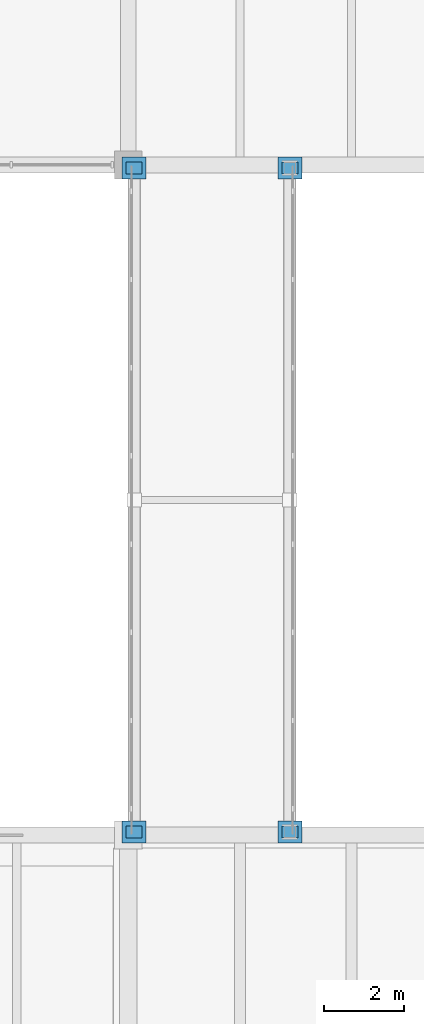
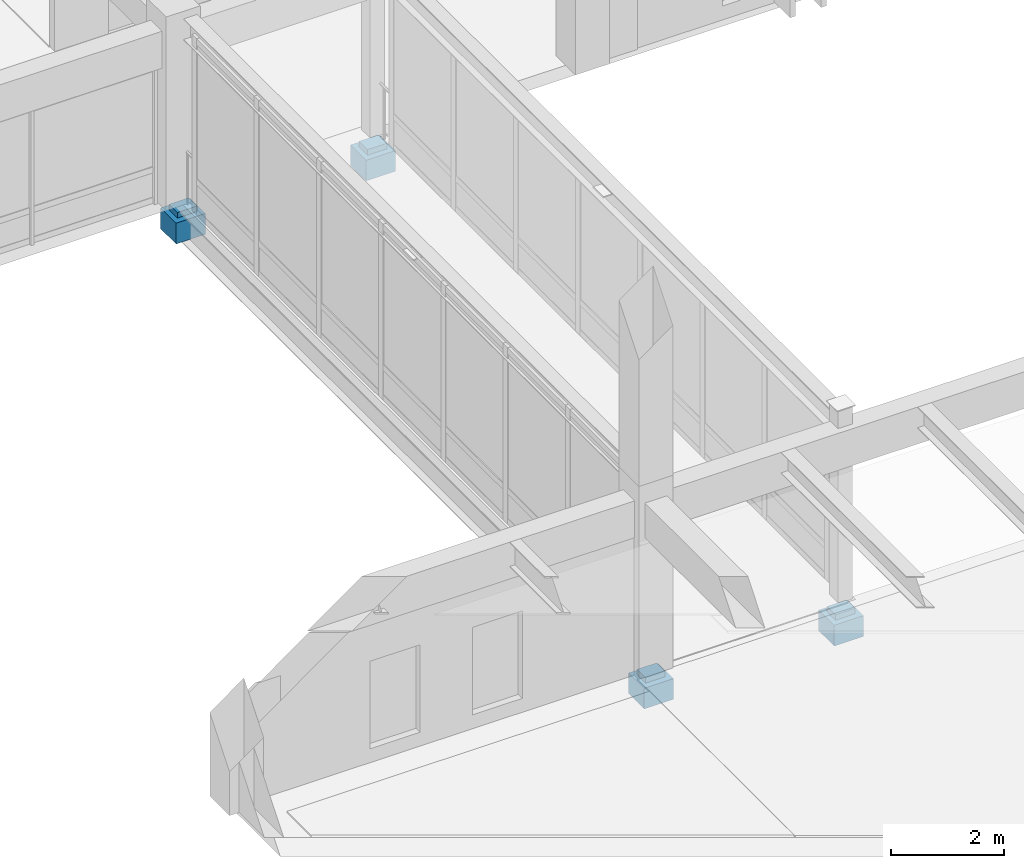
# One storey, part 102 of 132: 8 discrete accessories.
"""IFC4 building model written with IfcOpenShell, lengths in metres."""

from ifc_helpers import new_model, si_unit, direction, frame, origin, origin_2d, place, context, subcontext, project, spatial, rectangle, extrude, material, type_object, element, save


model = new_model("IFC4")

# Units and contexts
model_context = context("Model", 3, precision=1e-05, world=origin(), true_north=direction((0.0, 1.0)))
body_context = subcontext(model_context, "Body", "Model", "MODEL_VIEW")
ifc_project = project(units=[si_unit("LENGTHUNIT", "METRE"), si_unit("AREAUNIT", "SQUARE_METRE"), si_unit("VOLUMEUNIT", "CUBIC_METRE"), si_unit("PLANEANGLEUNIT", "RADIAN"), si_unit("MASSUNIT", "GRAM", prefix="KILO")], contexts=[model_context])

# Site, building, storey
site_placement = place(None, origin())
site = spatial("IfcSite", under=ifc_project, at=site_placement, CompositionType="ELEMENT")
building_placement = place(site_placement, origin())
building = spatial("IfcBuilding", under=site, at=building_placement, Name="Cumbredor Promenade Congress Hotel", CompositionType="ELEMENT")
storey_placement = place(building_placement, frame((0.0, 0.0, 7.56005859375)))
storey = spatial("IfcBuildingStorey", under=building, at=storey_placement, Name="L02", CompositionType="ELEMENT", Elevation=7.56005859375)

# Discrete accessories
ifc_material_1 = material(Name="Concrete C50/60", Category="concrete")
discrete_accessory_type_1 = type_object("IfcDiscreteAccessoryType", Name="Bridge Seat Corbel RC 600x550", PredefinedType="BRACKET", material=ifc_material_1)
for number, where, z_axis, x_axis, name in (
    (1, (151.35009765625, 67.280029296875, -0.7900390625), (0.0, 0.0, 1.0), (0.0, 1.0, 0.0), "L02 East Ballroom-to-Forum Glazed Bridge 550mm RC Bridge Seat Corbel 1"),
    (2, (155.25, 67.280029296875, -0.7900390625), (0.0, 0.0, 1.0), (0.0, 1.0, 0.0), "L02 East Ballroom-to-Forum Glazed Bridge 550mm RC Bridge Seat Corbel 2"),
    (3, (151.35009765625, 83.919921875, -0.7900390625), (0.0, 0.0, 1.0), (0.0, 1.0, 0.0), "L02 East Ballroom-to-Forum Glazed Bridge 550mm RC Bridge Seat Corbel 3"),
    (4, (155.25, 83.919921875, -0.7900390625), (0.0, 0.0, 1.0), (0.0, 1.0, 0.0), "L02 East Ballroom-to-Forum Glazed Bridge 550mm RC Bridge Seat Corbel 4"),
):
    element("IfcDiscreteAccessory", number, at=place(storey_placement, frame(where, z_axis=z_axis, x_axis=x_axis)), inside=storey, type_object=discrete_accessory_type_1, Name=name, PredefinedType="BRACKET", context=body_context, shape_type="SweptSolid", body=[
        extrude(rectangle(XDim=0.550048828125, YDim=0.60009765625, at=origin_2d()), origin(), (0.0, 0.0, 1.0), 0.449951171875),
    ])
ifc_material_2 = material(Name="Steel ASTM A572 Grade 50", Category="steel")
discrete_accessory_type_2 = type_object("IfcDiscreteAccessoryType", Name="Bridge Unguided PTFE Sliding Bearing BRG-01", PredefinedType="SHOE", material=ifc_material_2)
for number, where, z_axis, x_axis, name in (
    (5, (151.35009765625, 67.280029296875, -0.340087890625), (0.0, 0.0, 1.0), (0.0, 1.0, 0.0), "L02 East Ballroom-to-Forum Glazed Bridge Unguided PTFE Sliding Bearing BRG-01"),
    (6, (155.25, 67.280029296875, -0.340087890625), (0.0, 0.0, 1.0), (0.0, 1.0, 0.0), "L02 East Ballroom-to-Forum Glazed Bridge Unguided PTFE Sliding Bearing BRG-01"),
    (7, (151.35009765625, 83.919921875, -0.340087890625), (0.0, 0.0, 1.0), (0.0, 1.0, 0.0), "L02 East Ballroom-to-Forum Glazed Bridge Unguided PTFE Sliding Bearing BRG-01"),
    (8, (155.25, 83.919921875, -0.340087890625), (0.0, 0.0, 1.0), (0.0, 1.0, 0.0), "L02 East Ballroom-to-Forum Glazed Bridge Unguided PTFE Sliding Bearing BRG-01"),
):
    element("IfcDiscreteAccessory", number, at=place(storey_placement, frame(where, z_axis=z_axis, x_axis=x_axis)), inside=storey, type_object=discrete_accessory_type_2, Name=name, PredefinedType="SHOE", context=body_context, shape_type="SweptSolid", body=[
        extrude(rectangle(XDim=0.300048828125, YDim=0.39990234375, at=origin_2d()), origin(), (0.0, 0.0, 1.0), 0.1201171875),
    ])

save(model, "model.ifc")
